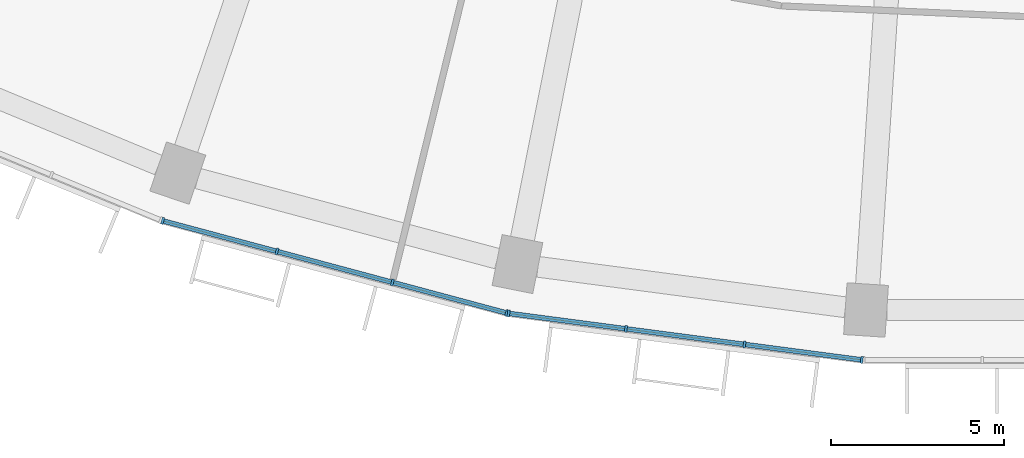
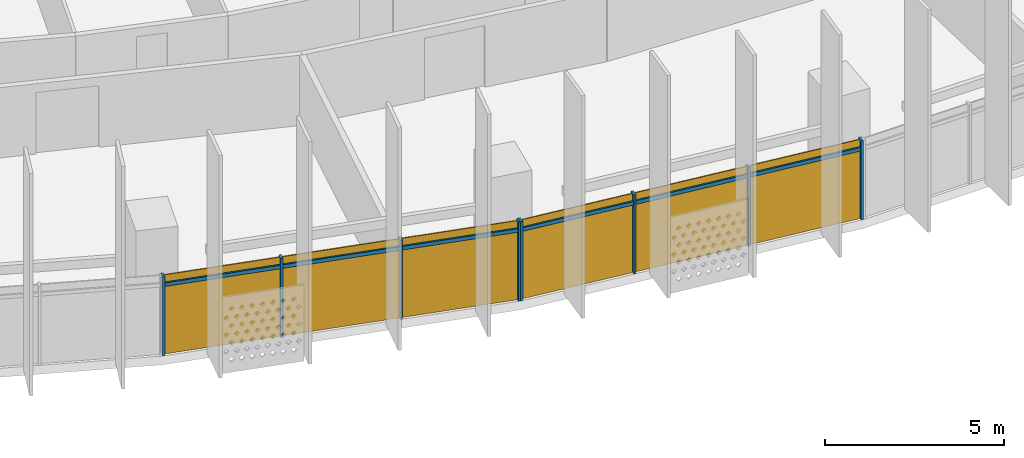
# One storey, part 18 of 29: 14 members, 2 curtain walls.
"""IFC4 building model written with IfcOpenShell, lengths in metres."""

from ifc_helpers import new_model, si_unit, direction, frame, origin, origin_2d, place, context, subcontext, project, spatial, rectangle, extrude, material, material_profile, profile_set, type_object, element, aggregate, save


model = new_model("IFC4")

# Units and contexts
model_context = context("Model", 3, precision=1e-05, world=origin(), true_north=direction((0.0, 1.0)))
body_context = subcontext(model_context, "Body", "Model", "MODEL_VIEW")
ifc_project = project(units=[si_unit("LENGTHUNIT", "METRE"), si_unit("AREAUNIT", "SQUARE_METRE"), si_unit("VOLUMEUNIT", "CUBIC_METRE"), si_unit("PLANEANGLEUNIT", "RADIAN"), si_unit("MASSUNIT", "GRAM", prefix="KILO")], contexts=[model_context])

# Member
ifc_material = material(Name="Aluminium 6063-T6 anodised", Category="aluminium")
ifc_material_profile_1 = material_profile(ifc_material, rectangle(XDim=0.199951171875, YDim=0.070068359375, at=origin_2d()))
ifc_profile_set_1 = profile_set([ifc_material_profile_1], Name="Aluminium 6063-T6 anodised")
member_type_1 = type_object("IfcMemberType", Name="Mullion 70 x 200 aluminium", PredefinedType="MULLION", material=ifc_profile_set_1)
site_placement = place(None, origin())
building_placement = place(site_placement, origin())
storey_placement = place(building_placement, frame((0.0, 0.0, 132.89990234375)))
member_1_placement = place(storey_placement, frame((-25.430419921875, -75.00390625, 0.0), z_axis=(0.0, 0.0, 1.0), x_axis=(0.258819045103, 0.965925826289, 0.0)))
member_1 = element("IfcMember", 1, at=member_1_placement, type_object=member_type_1, Name="e-cw1-L30-out07/M00", PredefinedType="MULLION", context=body_context, shape_type="SweptSolid", body=[
    extrude(rectangle(XDim=0.199951171875, YDim=0.070068359375, at=origin_2d()), origin(), (0.0, 0.0, 1.0), 2.7001953125),
])

member_2_placement = place(storey_placement, frame((-22.12451171875, -75.889892578125, 0.0), z_axis=(0.0, 0.0, 1.0), x_axis=(0.258819045103, 0.965925826289, 0.0)))
member_2 = element("IfcMember", 2, at=member_2_placement, type_object=member_type_1, Name="e-cw1-L30-out07/M01", PredefinedType="MULLION", context=body_context, shape_type="SweptSolid", body=[
    extrude(rectangle(XDim=0.199951171875, YDim=0.070068359375, at=origin_2d()), origin(), (0.0, 0.0, 1.0), 2.7001953125),
])

member_3_placement = place(storey_placement, frame((-18.78466796875, -76.78466796875, 0.0), z_axis=(0.0, 0.0, 1.0), x_axis=(0.258819045103, 0.965925826289, 0.0)))
member_3 = element("IfcMember", 3, at=member_3_placement, type_object=member_type_1, Name="e-cw1-L30-out07/M02", PredefinedType="MULLION", context=body_context, shape_type="SweptSolid", body=[
    extrude(rectangle(XDim=0.199951171875, YDim=0.070068359375, at=origin_2d()), origin(), (0.0, 0.0, 1.0), 2.7001953125),
])

member_4_placement = place(storey_placement, frame((-15.478515625, -77.670654296875, 0.0), z_axis=(0.0, 0.0, 1.0), x_axis=(0.258819045103, 0.965925826289, 0.0)))
member_4 = element("IfcMember", 4, at=member_4_placement, type_object=member_type_1, Name="e-cw1-L30-out07/M03", PredefinedType="MULLION", context=body_context, shape_type="SweptSolid", body=[
    extrude(rectangle(XDim=0.199951171875, YDim=0.070068359375, at=origin_2d()), origin(), (0.0, 0.0, 1.0), 2.7001953125),
])

member_5_placement = place(storey_placement, frame((-15.4228515625, -77.681640625, 0.0), z_axis=(0.0, 0.0, 1.0), x_axis=(0.13052619222, 0.991444861374, 0.0)))
member_5 = element("IfcMember", 5, at=member_5_placement, type_object=member_type_1, Name="e-cw1-L30-out08/M00", PredefinedType="MULLION", context=body_context, shape_type="SweptSolid", body=[
    extrude(rectangle(XDim=0.199951171875, YDim=0.070068359375, at=origin_2d()), origin(), (0.0, 0.0, 1.0), 2.7001953125),
])

member_6_placement = place(storey_placement, frame((-12.029541015625, -78.12841796875, 0.0), z_axis=(0.0, 0.0, 1.0), x_axis=(0.13052619222, 0.991444861374, 0.0)))
member_6 = element("IfcMember", 6, at=member_6_placement, type_object=member_type_1, Name="e-cw1-L30-out08/M01", PredefinedType="MULLION", context=body_context, shape_type="SweptSolid", body=[
    extrude(rectangle(XDim=0.199951171875, YDim=0.070068359375, at=origin_2d()), origin(), (0.0, 0.0, 1.0), 2.7001953125),
])

member_7_placement = place(storey_placement, frame((-8.6015625, -78.579833984375, 0.0), z_axis=(0.0, 0.0, 1.0), x_axis=(0.13052619222, 0.991444861374, 0.0)))
member_7 = element("IfcMember", 7, at=member_7_placement, type_object=member_type_1, Name="e-cw1-L30-out08/M02", PredefinedType="MULLION", context=body_context, shape_type="SweptSolid", body=[
    extrude(rectangle(XDim=0.199951171875, YDim=0.070068359375, at=origin_2d()), origin(), (0.0, 0.0, 1.0), 2.7001953125),
])

member_8_placement = place(storey_placement, frame((-5.2080078125, -79.026611328125, 0.0), z_axis=(0.0, 0.0, 1.0), x_axis=(0.13052619222, 0.991444861374, 0.0)))
member_8 = element("IfcMember", 8, at=member_8_placement, type_object=member_type_1, Name="e-cw1-L30-out08/M03", PredefinedType="MULLION", context=body_context, shape_type="SweptSolid", body=[
    extrude(rectangle(XDim=0.199951171875, YDim=0.070068359375, at=origin_2d()), origin(), (0.0, 0.0, 1.0), 2.7001953125),
])

ifc_material_profile_2 = material_profile(ifc_material, rectangle(XDim=0.139892578125, YDim=0.1201171875, at=origin_2d()))
ifc_profile_set_2 = profile_set([ifc_material_profile_2], Name="Aluminium 6063-T6 anodised")
member_type_2 = type_object("IfcMemberType", Name="Transom 120 x 140 aluminium", PredefinedType="USERDEFINED", material=ifc_profile_set_2)
member_9_placement = place(storey_placement, frame((-25.396728515625, -75.01318359375, 2.400146484375), z_axis=(0.965932125453, -0.258795535157, 0.0), x_axis=(0.258795535157, 0.965932125453, 0.0)))
member_9 = element("IfcMember", 9, at=member_9_placement, type_object=member_type_2, Name="e-cw1-L30-out07/T00", ObjectType="TRANSOM", PredefinedType="USERDEFINED", context=body_context, shape_type="SweptSolid", body=[
    extrude(rectangle(XDim=0.139892578125, YDim=0.1201171875, at=origin_2d()), origin(), (0.0, 0.0, 1.0), 3.352783203125),
])

member_10_placement = place(storey_placement, frame((-22.090576171875, -75.89892578125, 2.400146484375), z_axis=(0.965931646033, -0.258797324547, 0.0), x_axis=(0.258797324547, 0.965931646033, 0.0)))
member_10 = element("IfcMember", 10, at=member_10_placement, type_object=member_type_2, Name="e-cw1-L30-out07/T01", ObjectType="TRANSOM", PredefinedType="USERDEFINED", context=body_context, shape_type="SweptSolid", body=[
    extrude(rectangle(XDim=0.139892578125, YDim=0.1201171875, at=origin_2d()), origin(), (0.0, 0.0, 1.0), 3.3876953125),
])

member_11_placement = place(storey_placement, frame((-18.750732421875, -76.7939453125, 2.400146484375), z_axis=(0.965927247937, -0.258813739382, 0.0), x_axis=(0.258813739382, 0.965927247937, 0.0)))
member_11 = element("IfcMember", 11, at=member_11_placement, type_object=member_type_2, Name="e-cw1-L30-out07/T02", ObjectType="TRANSOM", PredefinedType="USERDEFINED", context=body_context, shape_type="SweptSolid", body=[
    extrude(rectangle(XDim=0.139892578125, YDim=0.1201171875, at=origin_2d()), origin(), (0.0, 0.0, 1.0), 3.3525390625),
])

member_12_placement = place(storey_placement, frame((-15.38818359375, -77.686279296875, 2.400146484375), z_axis=(0.991449089759, -0.130494070426, 0.0), x_axis=(0.130494070426, 0.991449089759, 0.0)))
member_12 = element("IfcMember", 12, at=member_12_placement, type_object=member_type_2, Name="e-cw1-L30-out08/T00", ObjectType="TRANSOM", PredefinedType="USERDEFINED", context=body_context, shape_type="SweptSolid", body=[
    extrude(rectangle(XDim=0.139892578125, YDim=0.1201171875, at=origin_2d()), origin(), (0.0, 0.0, 1.0), 3.3525390625),
])

member_13_placement = place(storey_placement, frame((-11.994873046875, -78.133056640625, 2.400146484375), z_axis=(0.991446198807, -0.130516033004, 0.0), x_axis=(0.130516033004, 0.991446198807, 0.0)))
member_13 = element("IfcMember", 13, at=member_13_placement, type_object=member_type_2, Name="e-cw1-L30-out08/T01", ObjectType="TRANSOM", PredefinedType="USERDEFINED", context=body_context, shape_type="SweptSolid", body=[
    extrude(rectangle(XDim=0.139892578125, YDim=0.1201171875, at=origin_2d()), origin(), (0.0, 0.0, 1.0), 3.3876953125),
])

member_14_placement = place(storey_placement, frame((-8.56689453125, -78.584228515625, 2.400146484375), z_axis=(0.991439665896, -0.130565649721, 0.0), x_axis=(0.130565649721, 0.991439665896, 0.0)))
member_14 = element("IfcMember", 14, at=member_14_placement, type_object=member_type_2, Name="e-cw1-L30-out08/T02", ObjectType="TRANSOM", PredefinedType="USERDEFINED", context=body_context, shape_type="SweptSolid", body=[
    extrude(rectangle(XDim=0.139892578125, YDim=0.1201171875, at=origin_2d()), origin(), (0.0, 0.0, 1.0), 3.352783203125),
])

# Site, building, storey
site = spatial("IfcSite", under=ifc_project, at=site_placement, CompositionType="ELEMENT")
building = spatial("IfcBuilding", under=site, at=building_placement, Name="Qamariyya Broadcast Tower", CompositionType="ELEMENT")
storey = spatial("IfcBuildingStorey", under=building, at=storey_placement, Name="L30", CompositionType="ELEMENT", Elevation=132.89990234375)

# Curtain wall
curtain_wall_type = type_object("IfcCurtainWallType", Name="Unitised curtain wall, anodised aluminium", PredefinedType="NOTDEFINED", material=ifc_material)
curtain_wall_1_placement = place(storey_placement, origin())
curtain_wall_1 = element("IfcCurtainWall", 15, at=curtain_wall_1_placement, inside=storey, type_object=curtain_wall_type, Name="e-cw1-L30-out07", PredefinedType="NOTDEFINED", context=body_context, shape_type="SweptSolid", body=[
    extrude(rectangle(XDim=3.352783203125, YDim=0.031982421875, at=origin_2d()), frame((-23.777587890625, -75.44677734375, 0.0), x_axis=(0.965923677743, -0.258827063454, 0.0)), (0.0, 0.0, 1.0), 2.340087890625),
    extrude(rectangle(XDim=3.352783203125, YDim=0.031982421875, at=origin_2d()), frame((-23.777587890625, -75.44677734375, 2.460205078125), x_axis=(0.965923677743, -0.258827063454, 0.0)), (0.0, 0.0, 1.0), 0.239990234375),
    extrude(rectangle(XDim=3.3876953125, YDim=0.031982421875, at=origin_2d()), frame((-20.45458984375, -76.33740234375, 0.0), x_axis=(0.965923677743, -0.258827063454, 0.0)), (0.0, 0.0, 1.0), 2.340087890625),
    extrude(rectangle(XDim=3.3876953125, YDim=0.031982421875, at=origin_2d()), frame((-20.45458984375, -76.33740234375, 2.460205078125), x_axis=(0.965923677743, -0.258827063454, 0.0)), (0.0, 0.0, 1.0), 0.239990234375),
    extrude(rectangle(XDim=3.352783203125, YDim=0.031982421875, at=origin_2d()), frame((-17.131591796875, -77.227783203125, 0.0), x_axis=(0.965923677743, -0.258827063454, 0.0)), (0.0, 0.0, 1.0), 2.340087890625),
    extrude(rectangle(XDim=3.352783203125, YDim=0.031982421875, at=origin_2d()), frame((-17.131591796875, -77.227783203125, 2.460205078125), x_axis=(0.965923677743, -0.258827063454, 0.0)), (0.0, 0.0, 1.0), 0.239990234375),
])

aggregate(curtain_wall_1, [member_1, member_2, member_3, member_4, member_9, member_10, member_11])

curtain_wall_2_placement = place(storey_placement, origin())
curtain_wall_2 = element("IfcCurtainWall", 16, at=curtain_wall_2_placement, inside=storey, type_object=curtain_wall_type, Name="e-cw1-L30-out08", PredefinedType="NOTDEFINED", context=body_context, shape_type="SweptSolid", body=[
    extrude(rectangle(XDim=3.3525390625, YDim=0.031982421875, at=origin_2d()), frame((-13.72607421875, -77.9052734375, 0.0), x_axis=(0.991447084105, -0.13050930779, 0.0)), (0.0, 0.0, 1.0), 2.340087890625),
    extrude(rectangle(XDim=3.3525390625, YDim=0.031982421875, at=origin_2d()), frame((-13.72607421875, -77.9052734375, 2.460205078125), x_axis=(0.991447084105, -0.13050930779, 0.0)), (0.0, 0.0, 1.0), 0.239990234375),
    extrude(rectangle(XDim=3.3876953125, YDim=0.031982421875, at=origin_2d()), frame((-10.3154296875, -78.35400390625, 0.0), x_axis=(0.991447084105, -0.13050930779, 0.0)), (0.0, 0.0, 1.0), 2.340087890625),
    extrude(rectangle(XDim=3.3876953125, YDim=0.031982421875, at=origin_2d()), frame((-10.3154296875, -78.35400390625, 2.460205078125), x_axis=(0.991447084105, -0.13050930779, 0.0)), (0.0, 0.0, 1.0), 0.239990234375),
    extrude(rectangle(XDim=3.3525390625, YDim=0.031982421875, at=origin_2d()), frame((-6.90478515625, -78.802978515625, 0.0), x_axis=(0.991447084105, -0.13050930779, 0.0)), (0.0, 0.0, 1.0), 2.340087890625),
    extrude(rectangle(XDim=3.3525390625, YDim=0.031982421875, at=origin_2d()), frame((-6.90478515625, -78.802978515625, 2.460205078125), x_axis=(0.991447084105, -0.13050930779, 0.0)), (0.0, 0.0, 1.0), 0.239990234375),
])

aggregate(curtain_wall_2, [member_5, member_6, member_7, member_8, member_12, member_13, member_14])

save(model, "model.ifc")
